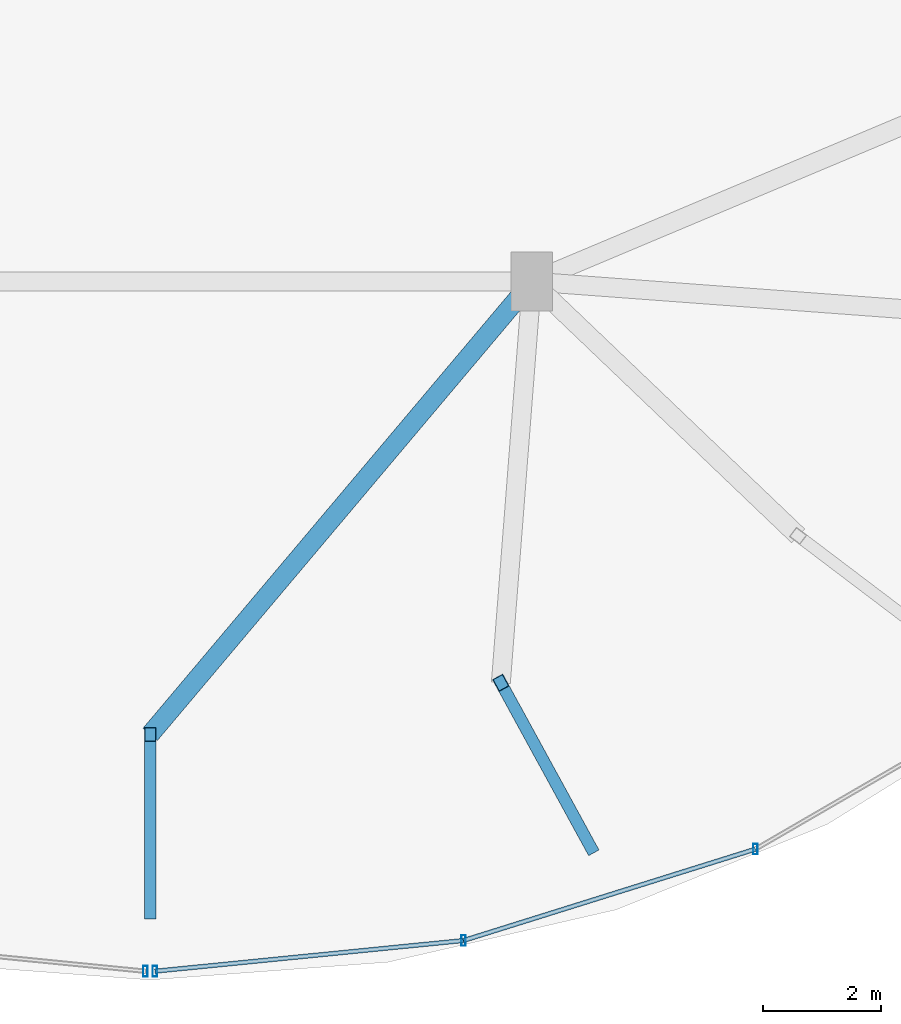
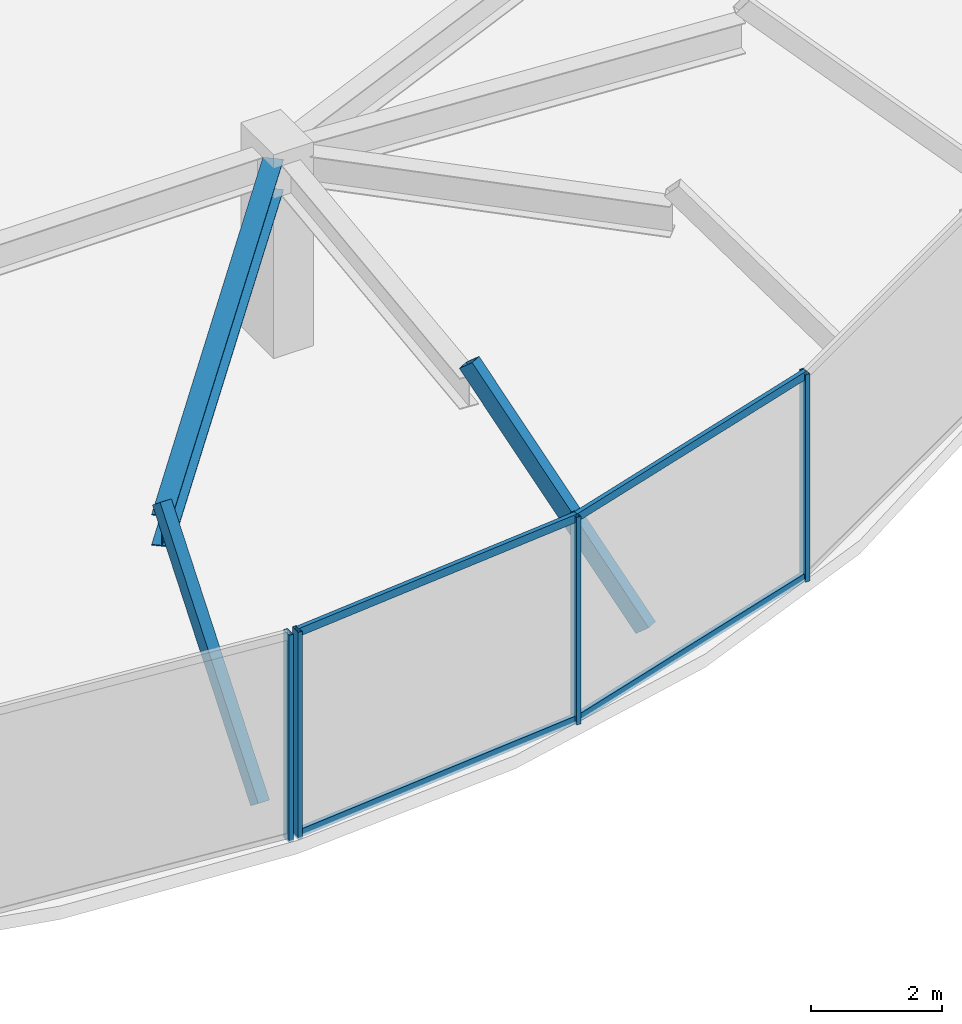
# One storey, part 5 of 14: 10 members, 1 beam, 2 elements without a shape of their own.
"""IFC4 building model written with IfcOpenShell, lengths in metres."""

from ifc_helpers import new_model, si_unit, direction, frame, origin, origin_2d, place, context, subcontext, project, spatial, hollow_rectangle, i_section, extrude, material, material_profile, profile_set, type_object, element, aggregate, save


model = new_model("IFC4")

# Units and contexts
model_context = context("Model", 3, precision=1e-05, world=origin(), true_north=direction((0.0, 1.0)))
body_context = subcontext(model_context, "Body", "Model", "MODEL_VIEW")
ifc_project = project(units=[si_unit("LENGTHUNIT", "METRE"), si_unit("AREAUNIT", "SQUARE_METRE"), si_unit("VOLUMEUNIT", "CUBIC_METRE"), si_unit("PLANEANGLEUNIT", "RADIAN"), si_unit("MASSUNIT", "GRAM", prefix="KILO")], contexts=[model_context])

# Site, building, storey
site_placement = place(None, origin())
site = spatial("IfcSite", under=ifc_project, at=site_placement, CompositionType="ELEMENT")
building_placement = place(site_placement, origin())
building = spatial("IfcBuilding", under=site, at=building_placement, Name="Vorneva Point Tower", CompositionType="ELEMENT")
storey_placement = place(building_placement, frame((0.0, 0.0, 299.199951171875)))
storey = spatial("IfcBuildingStorey", under=building, at=storey_placement, Name="C02", CompositionType="ELEMENT", Elevation=299.199951171875)

# Beam
ifc_material_1 = material(Name="Steel S355", Category="steel")
ifc_material_profile_1 = material_profile(ifc_material_1, i_section(OverallWidth=0.320068359375, OverallDepth=0.580078125, WebThickness=0.011962890625, FlangeThickness=0.01708984375, at=origin_2d()), Name="60Sh1")
ifc_profile_set_1 = profile_set([ifc_material_profile_1], Name="Steel S355")
beam_type = type_object("IfcBeamType", Name="BM-GRD-60Sh1", PredefinedType="USERDEFINED", material=ifc_profile_set_1)
beam_placement = place(storey_placement, frame((38.0, 14.550048828125, 3.260009765625), z_axis=(0.644585963402, 0.764531840923, 0.0), x_axis=(-0.764531840923, 0.644585963402, 0.0)))
element("IfcBeam", 1, at=beam_placement, inside=storey, type_object=beam_type, Name="C02 Radial Primary Girder 13", ObjectType="GIRDER", PredefinedType="USERDEFINED", context=body_context, shape_type="SweptSolid", body=[
    extrude(i_section(OverallWidth=0.320068359375, OverallDepth=0.580078125, WebThickness=0.011962890625, FlangeThickness=0.01708984375, at=origin_2d()), origin(), (0.0, 0.0, 1.0), 9.666259765625),
])

# Curtain wall, member
ifc_material_2 = material(Name="Pale anodised aluminium", Category="aluminium")
curtain_wall_type = type_object("IfcCurtainWallType", Name="CW-CRN-SYS", PredefinedType="NOTDEFINED", material=ifc_material_2)
curtain_wall_1_placement = place(storey_placement, origin())
curtain_wall_1 = element("IfcCurtainWall", 2, at=curtain_wall_1_placement, inside=storey, type_object=curtain_wall_type, Name="C02 Unitised Curtain Wall CW-C02-Q3", PredefinedType="NOTDEFINED")
ifc_material_profile_2 = material_profile(ifc_material_2, hollow_rectangle(XDim=0.074951171875, YDim=0.179931640625, WallThickness=0.00390625, at=origin_2d()), Name="AL-MUL 180x75x4")
ifc_profile_set_2 = profile_set([ifc_material_profile_2], Name="Pale anodised aluminium")
member_type_1 = type_object("IfcMemberType", Name="CW-MUL-180", PredefinedType="MULLION", material=ifc_profile_set_2)
member_1_placement = place(storey_placement, frame((37.92041015625, 10.5478515625, -0.0400390625), z_axis=(0.0, 0.0, 1.0), x_axis=(1.0, 0.0, 0.0)))
member_1 = element("IfcMember", 3, at=member_1_placement, type_object=member_type_1, Name="CW-C02-Q3 Mullion 07", PredefinedType="MULLION", context=body_context, shape_type="SweptSolid", body=[
    extrude(hollow_rectangle(XDim=0.074951171875, YDim=0.179931640625, WallThickness=0.00390625, at=origin_2d()), origin(), (0.0, 0.0, 1.0), 3.8701171875),
])
aggregate(curtain_wall_1, [member_1])

# Curtain wall, members
curtain_wall_2_placement = place(storey_placement, origin())
curtain_wall_2 = element("IfcCurtainWall", 4, at=curtain_wall_2_placement, inside=storey, type_object=curtain_wall_type, Name="C02 Unitised Curtain Wall CW-C02-Q4", PredefinedType="NOTDEFINED")
member_2_placement = place(storey_placement, frame((38.07958984375, 10.5478515625, -0.0400390625), z_axis=(0.0, 0.0, 1.0), x_axis=(1.0, 0.0, 0.0)))
member_2 = element("IfcMember", 5, at=member_2_placement, type_object=member_type_1, Name="CW-C02-Q4 Mullion 01", PredefinedType="MULLION", context=body_context, shape_type="SweptSolid", body=[
    extrude(hollow_rectangle(XDim=0.074951171875, YDim=0.179931640625, WallThickness=0.00390625, at=origin_2d()), origin(), (0.0, 0.0, 1.0), 3.8701171875),
])
member_3_placement = place(storey_placement, frame((43.29345703125, 11.06689453125, -0.0400390625), z_axis=(0.0, 0.0, 1.0), x_axis=(1.0, 0.0, 0.0)))
member_3 = element("IfcMember", 6, at=member_3_placement, type_object=member_type_1, Name="CW-C02-Q4 Mullion 02", PredefinedType="MULLION", context=body_context, shape_type="SweptSolid", body=[
    extrude(hollow_rectangle(XDim=0.074951171875, YDim=0.179931640625, WallThickness=0.00390625, at=origin_2d()), origin(), (0.0, 0.0, 1.0), 3.8701171875),
])
member_4_placement = place(storey_placement, frame((48.22607421875, 12.611083984375, -0.0400390625), z_axis=(0.0, 0.0, 1.0), x_axis=(1.0, 0.0, 0.0)))
member_4 = element("IfcMember", 7, at=member_4_placement, type_object=member_type_1, Name="CW-C02-Q4 Mullion 03", PredefinedType="MULLION", context=body_context, shape_type="SweptSolid", body=[
    extrude(hollow_rectangle(XDim=0.074951171875, YDim=0.179931640625, WallThickness=0.00390625, at=origin_2d()), origin(), (0.0, 0.0, 1.0), 3.8701171875),
])
ifc_material_profile_3 = material_profile(ifc_material_2, hollow_rectangle(XDim=0.074951171875, YDim=0.14990234375, WallThickness=0.00390625, at=origin_2d()), Name="AL-TRN 150x75x4")
ifc_profile_set_3 = profile_set([ifc_material_profile_3], Name="Pale anodised aluminium")
member_type_2 = type_object("IfcMemberType", Name="CW-TRN-150", PredefinedType="USERDEFINED", material=ifc_profile_set_3)
member_5_placement = place(storey_placement, frame((38.07958984375, 10.5478515625, 0.02001953125), z_axis=(0.995081379901, 0.099060826637, 0.0), x_axis=(-0.099060826637, 0.995081379901, 0.0)))
member_5 = element("IfcMember", 8, at=member_5_placement, type_object=member_type_2, Name="CW-C02-Q4 Transom 01.1", ObjectType="TRANSOM", PredefinedType="USERDEFINED", context=body_context, shape_type="SweptSolid", body=[
    extrude(hollow_rectangle(XDim=0.074951171875, YDim=0.14990234375, WallThickness=0.00390625, at=origin_2d()), origin(), (0.0, 0.0, 1.0), 5.23974609375),
])
member_6_placement = place(storey_placement, frame((38.07958984375, 10.5478515625, 3.780029296875), z_axis=(0.995081379901, 0.099060826637, 0.0), x_axis=(-0.099060826637, 0.995081379901, 0.0)))
member_6 = element("IfcMember", 9, at=member_6_placement, type_object=member_type_2, Name="CW-C02-Q4 Transom 01.2", ObjectType="TRANSOM", PredefinedType="USERDEFINED", context=body_context, shape_type="SweptSolid", body=[
    extrude(hollow_rectangle(XDim=0.074951171875, YDim=0.14990234375, WallThickness=0.00390625, at=origin_2d()), origin(), (0.0, 0.0, 1.0), 5.23974609375),
])
member_7_placement = place(storey_placement, frame((43.29345703125, 11.06689453125, 0.02001953125), z_axis=(0.954328569955, 0.298759067757, 0.0), x_axis=(-0.298759067757, 0.954328569955, 0.0)))
member_7 = element("IfcMember", 10, at=member_7_placement, type_object=member_type_2, Name="CW-C02-Q4 Transom 02.1", ObjectType="TRANSOM", PredefinedType="USERDEFINED", context=body_context, shape_type="SweptSolid", body=[
    extrude(hollow_rectangle(XDim=0.074951171875, YDim=0.14990234375, WallThickness=0.00390625, at=origin_2d()), origin(), (0.0, 0.0, 1.0), 5.168701171875),
])
member_8_placement = place(storey_placement, frame((43.29345703125, 11.06689453125, 3.780029296875), z_axis=(0.954328569955, 0.298759067757, 0.0), x_axis=(-0.298759067757, 0.954328569955, 0.0)))
member_8 = element("IfcMember", 11, at=member_8_placement, type_object=member_type_2, Name="CW-C02-Q4 Transom 02.2", ObjectType="TRANSOM", PredefinedType="USERDEFINED", context=body_context, shape_type="SweptSolid", body=[
    extrude(hollow_rectangle(XDim=0.074951171875, YDim=0.14990234375, WallThickness=0.00390625, at=origin_2d()), origin(), (0.0, 0.0, 1.0), 5.168701171875),
])
aggregate(curtain_wall_2, [member_2, member_3, member_4, member_5, member_6, member_7, member_8])

# Members
ifc_material_profile_4 = material_profile(ifc_material_1, hollow_rectangle(XDim=0.199951171875, YDim=0.300048828125, WallThickness=0.011962890625, at=origin_2d()), Name="PP 300x200x12")
ifc_profile_set_4 = profile_set([ifc_material_profile_4], Name="Steel S355")
member_type_3 = type_object("IfcMemberType", Name="MBR-CRN-PP300", PredefinedType="CHORD", material=ifc_profile_set_4)
member_9_placement = place(storey_placement, frame((38.0, 11.550048828125, 0.0), z_axis=(0.0, 0.619639383612, 0.784886637851), x_axis=(-1.0, 0.0, 0.0)))
element("IfcMember", 12, at=member_9_placement, inside=storey, type_object=member_type_3, Name="Crown Tapered Frame Rib C02-13", PredefinedType="CHORD", context=body_context, shape_type="SweptSolid", body=[
    extrude(hollow_rectangle(XDim=0.199951171875, YDim=0.300048828125, WallThickness=0.011962890625, at=origin_2d()), origin(), (0.0, 0.0, 1.0), 4.841552734375),
])
member_10_placement = place(storey_placement, frame((45.440185546875, 12.64990234375, 0.0), z_axis=(-0.306659075277, 0.56089906261, 0.768994442837), x_axis=(-0.877425528815, -0.479712873897, 0.0)))
element("IfcMember", 13, at=member_10_placement, inside=storey, type_object=member_type_3, Name="Crown Tapered Frame Rib C02-14", PredefinedType="CHORD", context=body_context, shape_type="SweptSolid", body=[
    extrude(hollow_rectangle(XDim=0.199951171875, YDim=0.300048828125, WallThickness=0.011962890625, at=origin_2d()), origin(), (0.0, 0.0, 1.0), 4.941650390625),
])

save(model, "model.ifc")
